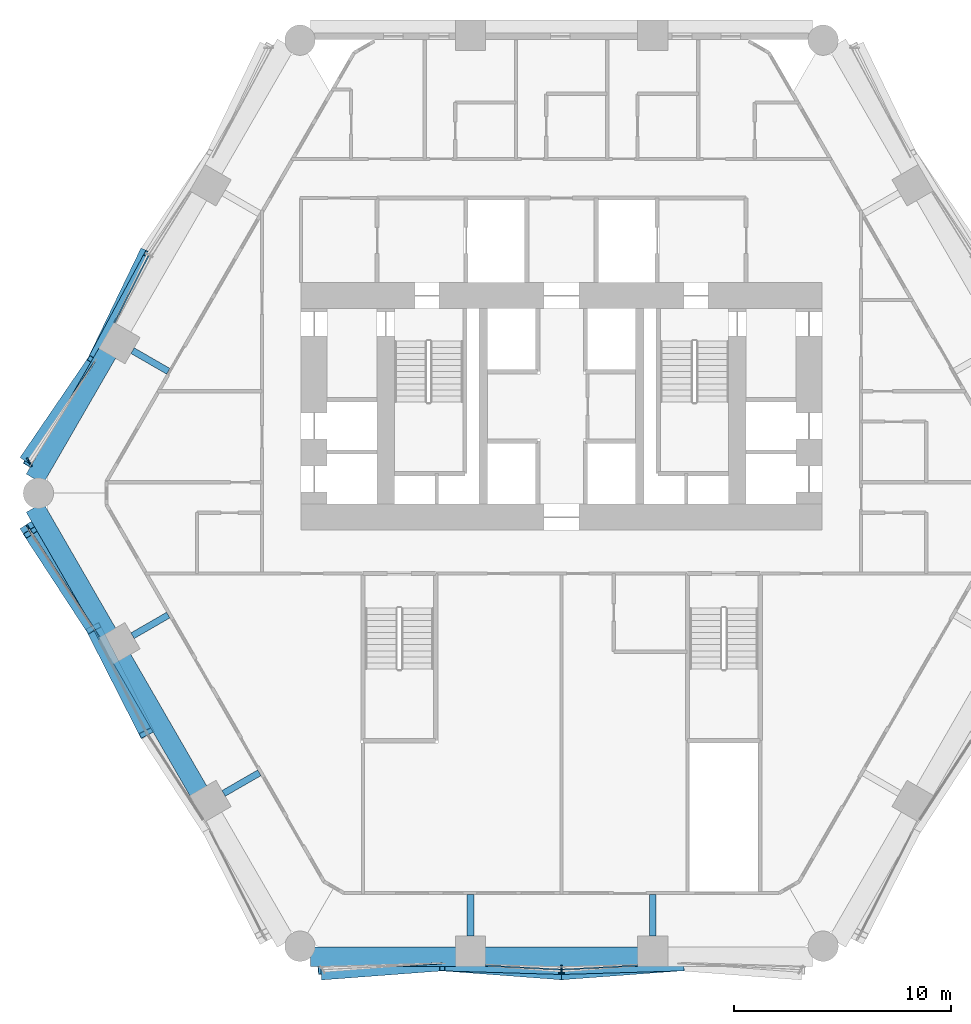
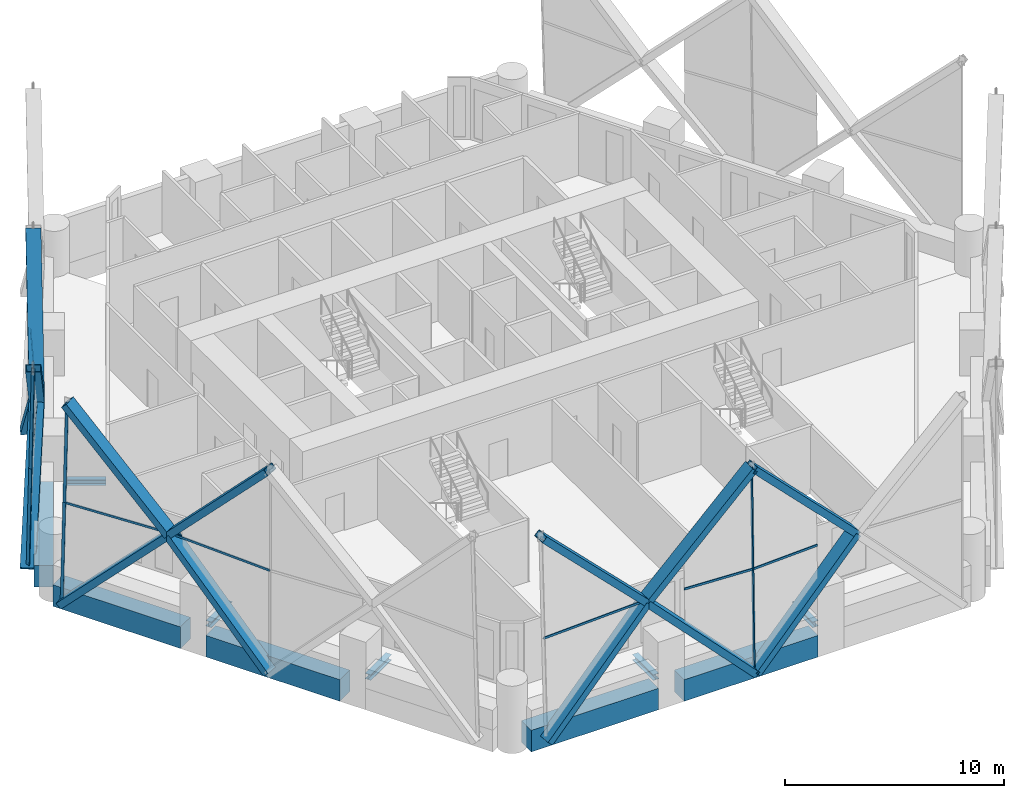
# One storey, part 4 of 22: 27 members, 10 beams, 6 elements without a shape of their own.
"""IFC4 building model written with IfcOpenShell, lengths in metres."""

from ifc_helpers import new_model, si_unit, direction, frame, origin, origin_2d, place, context, subcontext, project, spatial, rectangle, hollow_rectangle, i_section, extrude, material, material_profile, profile_set, type_object, element, aggregate, save


model = new_model("IFC4")

# Units and contexts
model_context = context("Model", 3, precision=1e-05, world=origin(), true_north=direction((0.0, 1.0)))
body_context = subcontext(model_context, "Body", "Model", "MODEL_VIEW")
ifc_project = project(units=[si_unit("LENGTHUNIT", "METRE"), si_unit("AREAUNIT", "SQUARE_METRE"), si_unit("VOLUMEUNIT", "CUBIC_METRE"), si_unit("PLANEANGLEUNIT", "RADIAN"), si_unit("MASSUNIT", "GRAM", prefix="KILO")], contexts=[model_context])

# Site, building, storey
site_placement = place(None, origin())
site = spatial("IfcSite", under=ifc_project, at=site_placement, CompositionType="ELEMENT")
building_placement = place(site_placement, origin())
building = spatial("IfcBuilding", under=site, at=building_placement, Name="Ostrander Bayou Hotel Tower", CompositionType="ELEMENT")
storey_placement = place(building_placement, frame((0.0, 0.0, 35.5)))
storey = spatial("IfcBuildingStorey", under=building, at=storey_placement, Name="L08", CompositionType="ELEMENT", Elevation=35.5)

# Curtain wall, members
ifc_material_1 = material(Name="Aluminium and clear glass", Category="aluminium")
curtain_wall_type = type_object("IfcCurtainWallType", Name="CW-LAT lattice glazing", PredefinedType="NOTDEFINED", material=ifc_material_1)
curtain_wall_1_placement = place(storey_placement, origin())
curtain_wall_1 = element("IfcCurtainWall", 1, at=curtain_wall_1_placement, inside=storey, type_object=curtain_wall_type, Name="CW-LAT L08 NW 1", PredefinedType="NOTDEFINED")
ifc_material_2 = material(Name="Aluminium", Category="aluminium")
ifc_material_profile_1 = material_profile(ifc_material_2, hollow_rectangle(XDim=0.06005859375, YDim=0.159912109375, WallThickness=0.00390625, at=origin_2d()))
ifc_profile_set_1 = profile_set([ifc_material_profile_1], Name="Aluminium")
member_type_1 = type_object("IfcMemberType", Name="CW-LA mullion 60 x 160 mm", PredefinedType="MULLION", material=ifc_profile_set_1)
member_1_placement = place(storey_placement, frame((-24.58837890625, 1.551513671875, -0.60009765625), z_axis=(0.012582810856, -0.021824668484, 0.999682627996), x_axis=(0.866328918095, 0.499473928922, 0.0)))
member_1 = element("IfcMember", 2, at=member_1_placement, type_object=member_type_1, Name="CW-LAT mullion 8", PredefinedType="MULLION", context=body_context, shape_type="SweptSolid", body=[
    extrude(hollow_rectangle(XDim=0.06005859375, YDim=0.159912109375, WallThickness=0.00390625, at=origin_2d()), origin(), (0.0, 0.0, 1.0), 5.626708984375),
])
member_2_placement = place(storey_placement, frame((-24.517578125, 1.4287109375, 5.02490234375), z_axis=(0.012582810856, -0.021824668484, 0.999682627996), x_axis=(0.866328918095, 0.499473928922, 0.0)))
member_2 = element("IfcMember", 3, at=member_2_placement, type_object=member_type_1, Name="CW-LAT mullion 9", PredefinedType="MULLION", context=body_context, shape_type="SweptSolid", body=[
    extrude(hollow_rectangle(XDim=0.06005859375, YDim=0.159912109375, WallThickness=0.00390625, at=origin_2d()), origin(), (0.0, 0.0, 1.0), 5.626708984375),
])
aggregate(curtain_wall_1, [member_1, member_2])

curtain_wall_2_placement = place(storey_placement, origin())
curtain_wall_2 = element("IfcCurtainWall", 4, at=curtain_wall_2_placement, inside=storey, type_object=curtain_wall_type, Name="CW-LAT L08 SW 1", PredefinedType="NOTDEFINED")
member_3_placement = place(storey_placement, frame((-24.58837890625, -1.551513671875, -0.60009765625), z_axis=(0.012582810856, -0.021824668484, 0.999682627996), x_axis=(0.866328918095, 0.499473928922, 0.0)))
member_3 = element("IfcMember", 5, at=member_3_placement, type_object=member_type_1, Name="CW-LAT mullion 1", PredefinedType="MULLION", context=body_context, shape_type="SweptSolid", body=[
    extrude(hollow_rectangle(XDim=0.06005859375, YDim=0.159912109375, WallThickness=0.00390625, at=origin_2d()), origin(), (0.0, 0.0, 1.0), 5.626708984375),
])
member_4_placement = place(storey_placement, frame((-24.517578125, -1.67431640625, 5.02490234375), z_axis=(0.012582810856, -0.021824668484, 0.999682627996), x_axis=(0.866328918095, 0.499473928922, 0.0)))
member_4 = element("IfcMember", 6, at=member_4_placement, type_object=member_type_1, Name="CW-LAT mullion 2", PredefinedType="MULLION", context=body_context, shape_type="SweptSolid", body=[
    extrude(hollow_rectangle(XDim=0.06005859375, YDim=0.159912109375, WallThickness=0.00390625, at=origin_2d()), origin(), (0.0, 0.0, 1.0), 5.626708984375),
])
aggregate(curtain_wall_2, [member_3, member_4])

curtain_wall_3_placement = place(storey_placement, origin())
curtain_wall_3 = element("IfcCurtainWall", 7, at=curtain_wall_3_placement, inside=storey, type_object=curtain_wall_type, Name="CW-LAT L08 S 1", PredefinedType="NOTDEFINED")
member_5_placement = place(storey_placement, frame((0.0, -22.070068359375, -0.60009765625), z_axis=(0.0, 0.021826396408, 0.999761775835), x_axis=(-1.0, 0.0, 0.0)))
member_5 = element("IfcMember", 8, at=member_5_placement, type_object=member_type_1, Name="CW-LAT mullion 4", PredefinedType="MULLION", context=body_context, shape_type="SweptSolid", body=[
    extrude(hollow_rectangle(XDim=0.06005859375, YDim=0.159912109375, WallThickness=0.00390625, at=origin_2d()), origin(), (0.0, 0.0, 1.0), 5.626220703125),
])
member_6_placement = place(storey_placement, frame((0.0, -21.947265625, 5.02490234375), z_axis=(0.0, 0.021826396408, 0.999761775835), x_axis=(-1.0, 0.0, 0.0)))
member_6 = element("IfcMember", 9, at=member_6_placement, type_object=member_type_1, Name="CW-LAT mullion 5", PredefinedType="MULLION", context=body_context, shape_type="SweptSolid", body=[
    extrude(hollow_rectangle(XDim=0.06005859375, YDim=0.159912109375, WallThickness=0.00390625, at=origin_2d()), origin(), (0.0, 0.0, 1.0), 5.626220703125),
])
aggregate(curtain_wall_3, [member_5, member_6])

curtain_wall_4_placement = place(storey_placement, origin())
curtain_wall_4 = element("IfcCurtainWall", 10, at=curtain_wall_4_placement, inside=storey, type_object=curtain_wall_type, Name="CW-LAT L08 NW 2", PredefinedType="NOTDEFINED")
ifc_material_3 = material(Name="Aluminium", Category="aluminium")
ifc_material_profile_2 = material_profile(ifc_material_3, hollow_rectangle(XDim=0.06005859375, YDim=0.1201171875, WallThickness=0.00390625, at=origin_2d()))
ifc_profile_set_2 = profile_set([ifc_material_profile_2], Name="Aluminium")
member_type_2 = type_object("IfcMemberType", Name="CW-LA transom 60 x 120 mm", PredefinedType="USERDEFINED", material=ifc_profile_set_2)
member_7_placement = place(storey_placement, frame((-19.0068359375, 10.9736328125, 5.02490234375), z_axis=(-0.454286227969, -0.890855781301, 0.0), x_axis=(0.890855781301, -0.454286227969, 0.0)))
member_7 = element("IfcMember", 11, at=member_7_placement, type_object=member_type_2, Name="CW-LAT transom 7", ObjectType="TRANSOM", PredefinedType="USERDEFINED", context=body_context, shape_type="SweptSolid", body=[
    extrude(hollow_rectangle(XDim=0.06005859375, YDim=0.1201171875, WallThickness=0.00390625, at=origin_2d()), origin(), (0.0, 0.0, 1.0), 3.500244140625),
])
member_8_placement = place(storey_placement, frame((-24.517578125, 1.4287109375, 5.02490234375), z_axis=(0.544366154591, 0.838847715462, 0.0), x_axis=(-0.838847715462, 0.544366154591, 0.0)))
member_8 = element("IfcMember", 12, at=member_8_placement, type_object=member_type_2, Name="CW-LAT transom 10", ObjectType="TRANSOM", PredefinedType="USERDEFINED", context=body_context, shape_type="SweptSolid", body=[
    extrude(hollow_rectangle(XDim=0.06005859375, YDim=0.1201171875, WallThickness=0.00390625, at=origin_2d()), origin(), (0.0, 0.0, 1.0), 5.51806640625),
])
aggregate(curtain_wall_4, [member_7, member_8])

curtain_wall_5_placement = place(storey_placement, origin())
curtain_wall_5 = element("IfcCurtainWall", 13, at=curtain_wall_5_placement, inside=storey, type_object=curtain_wall_type, Name="CW-LAT L08 SW 2", PredefinedType="NOTDEFINED")
member_9_placement = place(storey_placement, frame((-24.517578125, -1.67431640625, 5.02490234375), z_axis=(0.545236127639, -0.838282509133, 0.0), x_axis=(0.838282509133, 0.545236127639, 0.0)))
member_9 = element("IfcMember", 14, at=member_9_placement, type_object=member_type_2, Name="CW-LAT transom 3", ObjectType="TRANSOM", PredefinedType="USERDEFINED", context=body_context, shape_type="SweptSolid", body=[
    extrude(hollow_rectangle(XDim=0.06005859375, YDim=0.1201171875, WallThickness=0.00390625, at=origin_2d()), origin(), (0.0, 0.0, 1.0), 5.921875),
])
member_10_placement = place(storey_placement, frame((-19.11328125, -11.034912109375, 5.02490234375), z_axis=(-0.453374253569, 0.891320248957, 0.0), x_axis=(-0.891320248957, -0.453374253569, 0.0)))
member_10 = element("IfcMember", 15, at=member_10_placement, type_object=member_type_2, Name="CW-LAT transom 6", ObjectType="TRANSOM", PredefinedType="USERDEFINED", context=body_context, shape_type="SweptSolid", body=[
    extrude(hollow_rectangle(XDim=0.06005859375, YDim=0.1201171875, WallThickness=0.00390625, at=origin_2d()), origin(), (0.0, 0.0, 1.0), 5.411865234375),
])
aggregate(curtain_wall_5, [member_9, member_10])

curtain_wall_6_placement = place(storey_placement, origin())
curtain_wall_6 = element("IfcCurtainWall", 16, at=curtain_wall_6_placement, inside=storey, type_object=curtain_wall_type, Name="CW-LAT L08 S 2", PredefinedType="NOTDEFINED")
member_11_placement = place(storey_placement, frame((-11.021484375, -21.947265625, 5.02490234375), z_axis=(0.998647852363, 0.051985257245, 0.0), x_axis=(-0.051985257245, 0.998647852363, 0.0)))
member_11 = element("IfcMember", 17, at=member_11_placement, type_object=member_type_2, Name="CW-LAT transom 3", ObjectType="TRANSOM", PredefinedType="USERDEFINED", context=body_context, shape_type="SweptSolid", body=[
    extrude(hollow_rectangle(XDim=0.06005859375, YDim=0.1201171875, WallThickness=0.00390625, at=origin_2d()), origin(), (0.0, 0.0, 1.0), 5.518310546875),
])
member_12_placement = place(storey_placement, frame((0.0, -21.947265625, 5.02490234375), z_axis=(-0.998648868491, 0.051965733535, 0.0), x_axis=(-0.051965733535, -0.998648868491, 0.0)))
member_12 = element("IfcMember", 18, at=member_12_placement, type_object=member_type_2, Name="CW-LAT transom 6", ObjectType="TRANSOM", PredefinedType="USERDEFINED", context=body_context, shape_type="SweptSolid", body=[
    extrude(hollow_rectangle(XDim=0.06005859375, YDim=0.1201171875, WallThickness=0.00390625, at=origin_2d()), origin(), (0.0, 0.0, 1.0), 3.5),
])
member_13_placement = place(storey_placement, frame((0.0, -21.947265625, 5.02490234375), z_axis=(0.998648868491, 0.051965733535, 0.0), x_axis=(-0.051965733535, 0.998648868491, 0.0)))
member_13 = element("IfcMember", 19, at=member_13_placement, type_object=member_type_2, Name="CW-LAT transom 7", ObjectType="TRANSOM", PredefinedType="USERDEFINED", context=body_context, shape_type="SweptSolid", body=[
    extrude(hollow_rectangle(XDim=0.06005859375, YDim=0.1201171875, WallThickness=0.00390625, at=origin_2d()), origin(), (0.0, 0.0, 1.0), 3.5),
])
aggregate(curtain_wall_6, [member_11, member_12, member_13])

# Beams
ifc_material_4 = material(Name="Steel ASTM A992", Category="steel")
ifc_material_profile_3 = material_profile(ifc_material_4, i_section(OverallWidth=0.3046875, OverallDepth=0.307861328125, WebThickness=0.010009765625, FlangeThickness=0.015380859375, at=origin_2d()))
ifc_profile_set_3 = profile_set([ifc_material_profile_3], Name="Steel ASTM A992")
beam_type_1 = type_object("IfcBeamType", Name="LB1 loggia bracket W12x65", PredefinedType="BEAM", material=ifc_profile_set_3)
for number, where, z_axis, x_axis, name in (
    (20, (-19.7646484375, 6.566650390625, -0.453857421875), (0.866044365799, -0.499967155389, 0.0), (0.499967155389, 0.866044365799, 0.0), "LB1 L08 NW2"),
    (21, (-19.7646484375, -6.566650390625, -0.453857421875), (0.866044365799, 0.499967155389, 0.0), (-0.499967155389, 0.866044365799, 0.0), "LB1 L08 SW1"),
):
    element("IfcBeam", number, at=place(storey_placement, frame(where, z_axis=z_axis, x_axis=x_axis)), inside=storey, type_object=beam_type_1, Name=name, PredefinedType="BEAM", context=body_context, shape_type="SweptSolid", body=[
        extrude(i_section(OverallWidth=0.3046875, OverallDepth=0.307861328125, WebThickness=0.010009765625, FlangeThickness=0.015380859375, at=origin_2d()), origin(), (0.0, 0.0, 1.0), 1.900146484375),
    ])
for number, where, z_axis, x_axis, name in (
    (22, (-15.569091796875, -13.833251953125, -0.453857421875), (0.86601224135, 0.500022797313, 0.0), (-0.500022797313, 0.86601224135, 0.0), "LB1 L08 SW2"),
    (23, (-4.1953125, -20.39990234375, -0.453857421875), (0.0, 1.0, 0.0), (-1.0, 0.0, 0.0), "LB1 L08 S1"),
    (24, (4.1953125, -20.39990234375, -0.453857421875), (0.0, 1.0, 0.0), (-1.0, 0.0, 0.0), "LB1 L08 S2"),
):
    element("IfcBeam", number, at=place(storey_placement, frame(where, z_axis=z_axis, x_axis=x_axis)), inside=storey, type_object=beam_type_1, Name=name, PredefinedType="BEAM", context=body_context, shape_type="SweptSolid", body=[
        extrude(i_section(OverallWidth=0.3046875, OverallDepth=0.307861328125, WebThickness=0.010009765625, FlangeThickness=0.015380859375, at=origin_2d()), origin(), (0.0, 0.0, 1.0), 1.89990234375),
    ])

# Members
ifc_material_5 = material(Name="Steel ASTM A572 Gr 50", Category="steel")
ifc_material_profile_4 = material_profile(ifc_material_5, hollow_rectangle(XDim=0.699951171875, YDim=0.35009765625, WallThickness=0.02490234375, at=origin_2d()))
ifc_profile_set_4 = profile_set([ifc_material_profile_4], Name="Steel ASTM A572 Gr 50")
member_type_3 = type_object("IfcMemberType", Name="LT1 lattice member box 700 x 350 x 25 mm", PredefinedType="BRACE", material=ifc_profile_set_4)
member_14_placement = place(storey_placement, frame((-21.513671875, 6.0576171875, 5.02490234375), z_axis=(0.304418229008, 0.631221972618, -0.713364116796), x_axis=(-0.900724541123, 0.434390723909, 0.0)))
element("IfcMember", 25, at=member_14_placement, inside=storey, type_object=member_type_3, Name="LT1 L08 NW 5", PredefinedType="BRACE", context=body_context, shape_type="SweptSolid", body=[
    extrude(hollow_rectangle(XDim=0.699951171875, YDim=0.35009765625, WallThickness=0.02490234375, at=origin_2d()), origin(), (0.0, 0.0, 1.0), 7.88525390625),
])
member_15_placement = place(storey_placement, frame((-21.513671875, 6.0576171875, 5.02490234375), z_axis=(0.331756926435, 0.616367979274, 0.714162345611), x_axis=(-0.880550714137, 0.473951938316, 0.0)))
element("IfcMember", 26, at=member_15_placement, inside=storey, type_object=member_type_3, Name="LT1 L08 NW 6", PredefinedType="BRACE", context=body_context, shape_type="SweptSolid", body=[
    extrude(hollow_rectangle(XDim=0.699951171875, YDim=0.35009765625, WallThickness=0.02490234375, at=origin_2d()), origin(), (0.0, 0.0, 1.0), 7.87646484375),
])
member_16_placement = place(storey_placement, frame((-21.513671875, 6.0576171875, 5.02490234375), z_axis=(-0.392393329971, -0.575067785554, -0.717861070551), x_axis=(0.826025612555, -0.563632581921, 0.0)))
element("IfcMember", 27, at=member_16_placement, inside=storey, type_object=member_type_3, Name="LT1 L08 NW 7", PredefinedType="BRACE", context=body_context, shape_type="SweptSolid", body=[
    extrude(hollow_rectangle(XDim=0.699951171875, YDim=0.35009765625, WallThickness=0.02490234375, at=origin_2d()), origin(), (0.0, 0.0, 1.0), 7.835693359375),
])
member_17_placement = place(storey_placement, frame((-21.513671875, 6.0576171875, 5.02490234375), z_axis=(-0.370058319688, -0.599504334617, 0.709684009123), x_axis=(0.850939970261, -0.525262950352, 0.0)))
element("IfcMember", 28, at=member_17_placement, inside=storey, type_object=member_type_3, Name="LT1 L08 NW 8", PredefinedType="BRACE", context=body_context, shape_type="SweptSolid", body=[
    extrude(hollow_rectangle(XDim=0.699951171875, YDim=0.35009765625, WallThickness=0.02490234375, at=origin_2d()), origin(), (0.0, 0.0, 1.0), 7.926025390625),
])
member_18_placement = place(storey_placement, frame((-21.56689453125, -6.211181640625, 5.02490234375), z_axis=(-0.382244424421, 0.589489098619, -0.711612115277), x_axis=(-0.839043730101, -0.544063984268, 0.0)))
element("IfcMember", 29, at=member_18_placement, inside=storey, type_object=member_type_3, Name="LT1 L08 SW 1", PredefinedType="BRACE", context=body_context, shape_type="SweptSolid", body=[
    extrude(hollow_rectangle(XDim=0.699951171875, YDim=0.35009765625, WallThickness=0.02490234375, at=origin_2d()), origin(), (0.0, 0.0, 1.0), 7.904541015625),
])
member_19_placement = place(storey_placement, frame((-21.56689453125, -6.211181640625, 5.02490234375), z_axis=(-0.373606749057, 0.572635641145, 0.729730374556), x_axis=(-0.83751105711, -0.546420377748, 0.0)))
element("IfcMember", 30, at=member_19_placement, inside=storey, type_object=member_type_3, Name="LT1 L08 SW 2", PredefinedType="BRACE", context=body_context, shape_type="SweptSolid", body=[
    extrude(hollow_rectangle(XDim=0.699951171875, YDim=0.35009765625, WallThickness=0.02490234375, at=origin_2d()), origin(), (0.0, 0.0, 1.0), 7.708251953125),
])
for number, where, z_axis, x_axis, name in (
    (31, (-21.56689453125, -6.211181640625, 5.02490234375), (0.314335411267, -0.617974035405, -0.720625659263), (0.891320248957, 0.453374253569, 0.0), "LT1 L08 SW 3"),
    (32, (-21.56689453125, -6.211181640625, 5.02490234375), (0.314335411267, -0.617974035405, 0.720625659263), (0.891320248957, 0.453374253569, 0.0), "LT1 L08 SW 4"),
):
    element("IfcMember", number, at=place(storey_placement, frame(where, z_axis=z_axis, x_axis=x_axis)), inside=storey, type_object=member_type_3, Name=name, PredefinedType="BRACE", context=body_context, shape_type="SweptSolid", body=[
        extrude(hollow_rectangle(XDim=0.699951171875, YDim=0.35009765625, WallThickness=0.02490234375, at=origin_2d()), origin(), (0.0, 0.0, 1.0), 7.8056640625),
    ])
member_20_placement = place(storey_placement, frame((-5.5107421875, -21.660400390625, 5.02490234375), z_axis=(-0.6942326437, -0.052280871382, -0.717849390129), x_axis=(0.075094785013, -0.997176400274, 0.0)))
element("IfcMember", 33, at=member_20_placement, inside=storey, type_object=member_type_3, Name="LT1 L08 S 1", PredefinedType="BRACE", context=body_context, shape_type="SweptSolid", body=[
    extrude(hollow_rectangle(XDim=0.699951171875, YDim=0.35009765625, WallThickness=0.02490234375, at=origin_2d()), origin(), (0.0, 0.0, 1.0), 7.8359375),
])
member_21_placement = place(storey_placement, frame((-5.5107421875, -21.660400390625, 5.02490234375), z_axis=(-0.70420853583, -0.020699332345, 0.709691394695), x_axis=(0.029381064054, -0.999568283348, 0.0)))
element("IfcMember", 34, at=member_21_placement, inside=storey, type_object=member_type_3, Name="LT1 L08 S 2", PredefinedType="BRACE", context=body_context, shape_type="SweptSolid", body=[
    extrude(hollow_rectangle(XDim=0.699951171875, YDim=0.35009765625, WallThickness=0.02490234375, at=origin_2d()), origin(), (0.0, 0.0, 1.0), 7.926025390625),
])
member_22_placement = place(storey_placement, frame((-5.5107421875, -21.660400390625, 5.02490234375), z_axis=(0.698869595271, -0.051953888927, -0.713359714471), x_axis=(0.074135320941, 0.997248190868, 0.0)))
element("IfcMember", 35, at=member_22_placement, inside=storey, type_object=member_type_3, Name="LT1 L08 S 3", PredefinedType="BRACE", context=body_context, shape_type="SweptSolid", body=[
    extrude(hollow_rectangle(XDim=0.699951171875, YDim=0.35009765625, WallThickness=0.02490234375, at=origin_2d()), origin(), (0.0, 0.0, 1.0), 7.88525390625),
])
member_23_placement = place(storey_placement, frame((-5.5107421875, -21.660400390625, 5.02490234375), z_axis=(0.699662869151, -0.020829941878, 0.714169435816), x_axis=(0.029758213223, 0.999557126304, 0.0)))
element("IfcMember", 36, at=member_23_placement, inside=storey, type_object=member_type_3, Name="LT1 L08 S 4", PredefinedType="BRACE", context=body_context, shape_type="SweptSolid", body=[
    extrude(hollow_rectangle(XDim=0.699951171875, YDim=0.35009765625, WallThickness=0.02490234375, at=origin_2d()), origin(), (0.0, 0.0, 1.0), 7.876220703125),
])
member_24_placement = place(storey_placement, frame((5.5107421875, -21.660400390625, 5.02490234375), z_axis=(-0.698869595271, -0.051953888927, -0.713359714471), x_axis=(0.074135320941, -0.997248190868, 0.0)))
element("IfcMember", 37, at=member_24_placement, inside=storey, type_object=member_type_3, Name="LT1 L08 S 5", PredefinedType="BRACE", context=body_context, shape_type="SweptSolid", body=[
    extrude(hollow_rectangle(XDim=0.699951171875, YDim=0.35009765625, WallThickness=0.02490234375, at=origin_2d()), origin(), (0.0, 0.0, 1.0), 7.88525390625),
])
member_25_placement = place(storey_placement, frame((5.5107421875, -21.660400390625, 5.02490234375), z_axis=(-0.699662869151, -0.020829941878, 0.714169435816), x_axis=(0.029758213223, -0.999557126304, 0.0)))
element("IfcMember", 38, at=member_25_placement, inside=storey, type_object=member_type_3, Name="LT1 L08 S 6", PredefinedType="BRACE", context=body_context, shape_type="SweptSolid", body=[
    extrude(hollow_rectangle(XDim=0.699951171875, YDim=0.35009765625, WallThickness=0.02490234375, at=origin_2d()), origin(), (0.0, 0.0, 1.0), 7.876220703125),
])

# Beams
ifc_material_6 = material(Name="Concrete f'c 70 MPa", Category="concrete")
ifc_material_profile_5 = material_profile(ifc_material_6, rectangle(XDim=0.89990234375, YDim=1.199951171875, at=origin_2d()))
ifc_profile_set_5 = profile_set([ifc_material_profile_5], Name="Concrete f'c 70 MPa")
beam_type_2 = type_object("IfcBeamType", Name="SP1 spandrel beam 900 x 1200 mm f'c 70 MPa", PredefinedType="SPANDREL", material=ifc_profile_set_5)
for number, where, z_axis, x_axis, name in (
    (39, (-20.92236328125, 6.46142578125, -0.60009765625), (-0.500005133765, -0.866022439784, 0.0), (0.866022439784, -0.500005133765, 0.0), "SP1 L08 NW-3"),
    (40, (-24.274169921875, -0.656005859375, -0.60009765625), (0.500005133765, -0.866022439784, 0.0), (0.866022439784, 0.500005133765, 0.0), "SP1 L08 SW-1"),
):
    element("IfcBeam", number, at=place(storey_placement, frame(where, z_axis=z_axis, x_axis=x_axis)), inside=storey, type_object=beam_type_2, Name=name, PredefinedType="SPANDREL", context=body_context, shape_type="SweptSolid", body=[
        extrude(rectangle(XDim=0.89990234375, YDim=1.199951171875, at=origin_2d()), origin(), (0.0, 0.0, 1.0), 6.70361328125),
    ])
beam_1_placement = place(storey_placement, frame((-20.252197265625, -7.621826171875, -0.60009765625), z_axis=(0.499997206141, -0.866027016814, 0.0), x_axis=(0.866027016814, 0.499997206141, 0.0)))
element("IfcBeam", 41, at=beam_1_placement, inside=storey, type_object=beam_type_2, Name="SP1 L08 SW-2", PredefinedType="SPANDREL", context=body_context, shape_type="SweptSolid", body=[
    extrude(rectangle(XDim=0.89990234375, YDim=1.199951171875, at=origin_2d()), origin(), (0.0, 0.0, 1.0), 7.05078125),
])
beam_2_placement = place(storey_placement, frame((-11.569091796875, -21.35009765625, -0.60009765625), z_axis=(1.0, 0.0, 0.0), x_axis=(0.0, 1.0, 0.0)))
element("IfcBeam", 42, at=beam_2_placement, inside=storey, type_object=beam_type_2, Name="SP1 L08 S-1", PredefinedType="SPANDREL", context=body_context, shape_type="SweptSolid", body=[
    extrude(rectangle(XDim=0.89990234375, YDim=1.199951171875, at=origin_2d()), origin(), (0.0, 0.0, 1.0), 6.70361328125),
])
beam_3_placement = place(storey_placement, frame((-3.525390625, -21.35009765625, -0.60009765625), z_axis=(1.0, 0.0, 0.0), x_axis=(0.0, 1.0, 0.0)))
element("IfcBeam", 43, at=beam_3_placement, inside=storey, type_object=beam_type_2, Name="SP1 L08 S-2", PredefinedType="SPANDREL", context=body_context, shape_type="SweptSolid", body=[
    extrude(rectangle(XDim=0.89990234375, YDim=1.199951171875, at=origin_2d()), origin(), (0.0, 0.0, 1.0), 7.05078125),
])

save(model, "model.ifc")
